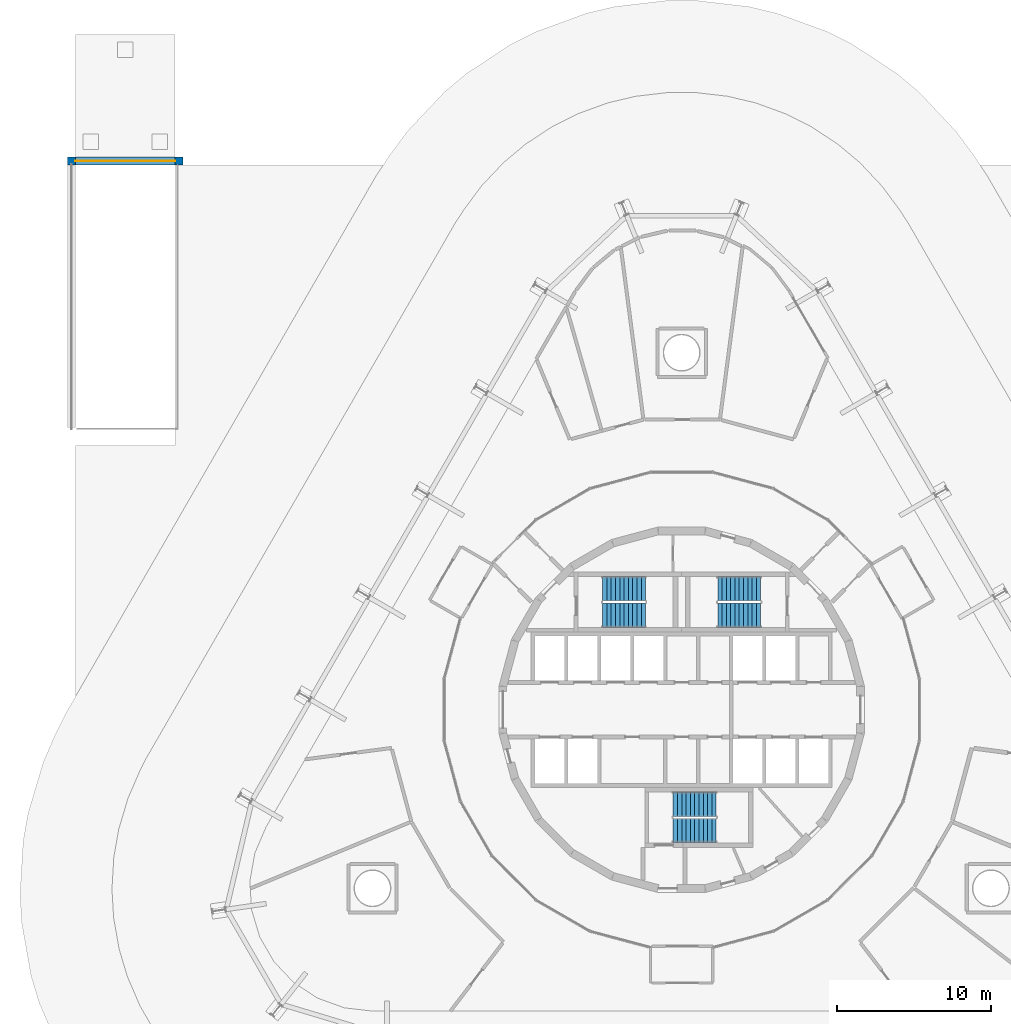
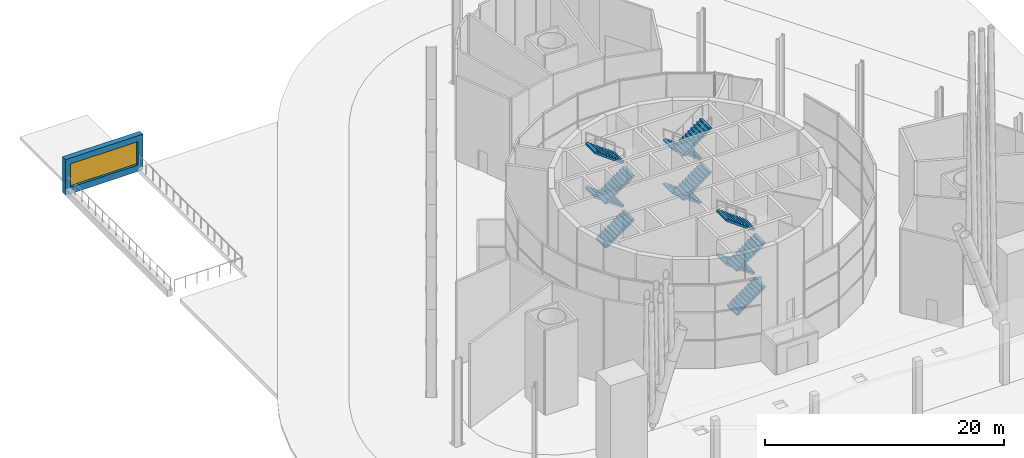
# One storey, part 19 of 21: 12 stair flights, 1 door, 1 wall, 1 opening, 3 elements without a shape of their own.
"""IFC4 building model written with IfcOpenShell, lengths in metres."""

from ifc_helpers import new_model, si_unit, direction, frame, frame_2d, origin, place, context, subcontext, project, spatial, polyline, rectangle, outline, extrude, material, layer, layer_set, type_object, element, fill, aggregate, save


model = new_model("IFC4")

# Units and contexts
model_context = context("Model", 3, precision=1e-05, world=origin(), true_north=direction((0.0, 1.0)))
body_context = subcontext(model_context, "Body", "Model", "MODEL_VIEW")
ifc_project = project(units=[si_unit("LENGTHUNIT", "METRE"), si_unit("AREAUNIT", "SQUARE_METRE"), si_unit("VOLUMEUNIT", "CUBIC_METRE"), si_unit("PLANEANGLEUNIT", "RADIAN"), si_unit("MASSUNIT", "GRAM", prefix="KILO")], contexts=[model_context])

# Site, building, storey
site_placement = place(None, origin())
site = spatial("IfcSite", under=ifc_project, at=site_placement, CompositionType="ELEMENT")
building_placement = place(site_placement, origin())
building = spatial("IfcBuilding", under=site, at=building_placement, Name="Spindle Arch Residences", CompositionType="ELEMENT")
storey_placement = place(building_placement, origin())
storey = spatial("IfcBuildingStorey", under=building, at=storey_placement, Name="L00", CompositionType="ELEMENT", Elevation=0.0)

# Wall, opening, door
ifc_material_1 = material(Name="Concrete C40/50", Category="concrete")
ifc_layer = layer(ifc_material_1, 0.5)
ifc_layer_set = layer_set([ifc_layer], Name="Vehicle gate wall 500")
wall_type = type_object("IfcWallType", Name="Vehicle gate wall 500", PredefinedType="STANDARD", material=ifc_layer_set)
wall_placement = place(storey_placement, frame((-40.0, 35.75, -0.659912109375), z_axis=(0.0, 0.0, 1.0), x_axis=(1.0, 0.0, 0.0)))
wall = element("IfcWall", 1, at=wall_placement, inside=storey, type_object=wall_type, Name="Vehicle gate wall", PredefinedType="STANDARD", context=body_context, shape_type="SweptSolid", body=[
    extrude(rectangle(XDim=7.5, YDim=0.5, at=frame_2d((3.75, 0.0))), origin(), (0.0, 0.0, 1.0), 3.659912109375),
])
opening_placement = place(wall_placement, frame((0.5, 0.0, 0.659912109375)))
opening = element("IfcOpeningElement", 2, at=opening_placement, cuts=wall, Name="Opening VEHICLE-GATE-W", PredefinedType="OPENING", context=body_context, shape_type="SweptSolid", body=[
    extrude(rectangle(XDim=6.5, YDim=2.39990234375, at=frame_2d((3.25, 1.199951171875))), frame((0.0, 0.260009765625, 0.0), z_axis=(0.0, -1.0, 0.0), x_axis=(1.0, 0.0, 0.0)), (0.0, 0.0, 1.0), 0.52001953125),
])
ifc_material_2 = material(Name="Insulated aluminium roller shutter", Category="aluminium")
door_type = type_object("IfcDoorType", Name="Vehicle roller shutter door 6500x2400", OperationType="ROLLINGUP", PredefinedType="GATE", material=ifc_material_2)
door_placement = place(opening_placement, origin())
door = element("IfcDoor", 3, at=door_placement, inside=storey, type_object=door_type, Name="Vehicle gate", OperationType="ROLLINGUP", OverallHeight=2.39990234375, OverallWidth=6.5, PredefinedType="GATE", context=body_context, shape_type="SweptSolid", body=[
    extrude(rectangle(XDim=6.5, YDim=2.39990234375, at=frame_2d((3.25, 1.199951171875))), frame((0.0, 0.02490234375, 0.0), z_axis=(0.0, -1.0, 0.0), x_axis=(1.0, 0.0, 0.0)), (0.0, 0.0, 1.0), 0.050048828125),
])
fill(opening, door)

# Stair, stair flights
ifc_material_3 = material(Name="Concrete C50/60", Category="concrete")
stair_type = type_object("IfcStairType", Name="Exit stair 44 risers", PredefinedType="HALF_TURN_STAIR", material=ifc_material_3)
stair_1_placement = place(storey_placement, origin())
stair_1 = element("IfcStair", 4, at=stair_1_placement, inside=storey, type_object=stair_type, Name="L00 Exit stair ST1", PredefinedType="HALF_TURN_STAIR")
ifc_material_4 = material(Name="Concrete C50/60", Category="concrete")
stair_flight_type = type_object("IfcStairFlightType", Name="Exit stair flight", PredefinedType="STRAIGHT", material=ifc_material_4)
stair_flight_1_placement = place(storey_placement, frame((5.14990234375, 7.8701171875, 0.0), z_axis=(0.0, 0.0, 1.0), x_axis=(-1.0, 0.0, 0.0)))
stair_flight_1 = element("IfcStairFlight", 5, at=stair_flight_1_placement, type_object=stair_flight_type, Name="ST1 flight 1", NumberOfRisers=11, NumberOfTreads=10, PredefinedType="STRAIGHT", RiserHeight=0.204545455, TreadLength=0.28, context=body_context, shape_type="SweptSolid", body=[
    extrude(outline(polyline([(0.0, 0.0), (0.0, 0.20458984375), (0.280029296875, 0.20458984375), (0.280029296875, 0.4091796875), (0.56005859375, 0.4091796875), (0.56005859375, 0.613525390625), (0.840087890625, 0.613525390625), (0.840087890625, 0.818115234375), (1.1201171875, 0.818115234375), (1.1201171875, 1.022705078125), (1.39990234375, 1.022705078125), (1.39990234375, 1.227294921875), (1.679931640625, 1.227294921875), (1.679931640625, 1.431884765625), (1.9599609375, 1.431884765625), (1.9599609375, 1.636474609375), (2.239990234375, 1.636474609375), (2.239990234375, 1.8408203125), (2.52001953125, 1.8408203125), (2.52001953125, 2.04541015625), (2.800048828125, 2.04541015625), (2.800048828125, 2.25), (2.800048828125, 1.85986328125), (0.254150390625, 0.0), (0.0, 0.0)])), frame((0.0, 0.800048828125, 0.0), z_axis=(0.0, -1.0, 0.0), x_axis=(1.0, 0.0, 0.0)), (0.0, 0.0, 1.0), 1.60009765625),
])
stair_flight_2_placement = place(storey_placement, frame((2.35009765625, 6.14990234375, 2.25), z_axis=(0.0, 0.0, 1.0), x_axis=(1.0, 0.0, 0.0)))
stair_flight_2 = element("IfcStairFlight", 6, at=stair_flight_2_placement, type_object=stair_flight_type, Name="ST1 flight 2", NumberOfRisers=11, NumberOfTreads=10, PredefinedType="STRAIGHT", RiserHeight=0.204545455, TreadLength=0.28, context=body_context, shape_type="SweptSolid", body=[
    extrude(outline(polyline([(0.0, 0.0), (0.0, 0.20458984375), (0.280029296875, 0.20458984375), (0.280029296875, 0.4091796875), (0.56005859375, 0.4091796875), (0.56005859375, 0.613525390625), (0.840087890625, 0.613525390625), (0.840087890625, 0.818115234375), (1.1201171875, 0.818115234375), (1.1201171875, 1.022705078125), (1.39990234375, 1.022705078125), (1.39990234375, 1.227294921875), (1.679931640625, 1.227294921875), (1.679931640625, 1.431884765625), (1.9599609375, 1.431884765625), (1.9599609375, 1.636474609375), (2.239990234375, 1.636474609375), (2.239990234375, 1.8408203125), (2.52001953125, 1.8408203125), (2.52001953125, 2.04541015625), (2.800048828125, 2.04541015625), (2.800048828125, 2.25), (2.800048828125, 1.85986328125), (0.254150390625, 0.0), (0.0, 0.0)])), frame((0.0, 0.800048828125, 0.0), z_axis=(0.0, -1.0, 0.0), x_axis=(1.0, 0.0, 0.0)), (0.0, 0.0, 1.0), 1.60009765625),
])
stair_flight_3_placement = place(storey_placement, frame((5.14990234375, 7.8701171875, 4.5), z_axis=(0.0, 0.0, 1.0), x_axis=(-1.0, 0.0, 0.0)))
stair_flight_3 = element("IfcStairFlight", 7, at=stair_flight_3_placement, type_object=stair_flight_type, Name="ST1 flight 3", NumberOfRisers=11, NumberOfTreads=10, PredefinedType="STRAIGHT", RiserHeight=0.204545455, TreadLength=0.28, context=body_context, shape_type="SweptSolid", body=[
    extrude(outline(polyline([(0.0, 0.0), (0.0, 0.20458984375), (0.280029296875, 0.20458984375), (0.280029296875, 0.4091796875), (0.56005859375, 0.4091796875), (0.56005859375, 0.613525390625), (0.840087890625, 0.613525390625), (0.840087890625, 0.818115234375), (1.1201171875, 0.818115234375), (1.1201171875, 1.022705078125), (1.39990234375, 1.022705078125), (1.39990234375, 1.227294921875), (1.679931640625, 1.227294921875), (1.679931640625, 1.431884765625), (1.9599609375, 1.431884765625), (1.9599609375, 1.636474609375), (2.239990234375, 1.636474609375), (2.239990234375, 1.8408203125), (2.52001953125, 1.8408203125), (2.52001953125, 2.04541015625), (2.800048828125, 2.04541015625), (2.800048828125, 2.25), (2.800048828125, 1.85986328125), (0.254150390625, 0.0), (0.0, 0.0)])), frame((0.0, 0.800048828125, 0.0), z_axis=(0.0, -1.0, 0.0), x_axis=(1.0, 0.0, 0.0)), (0.0, 0.0, 1.0), 1.60009765625),
])
stair_flight_4_placement = place(storey_placement, frame((2.35009765625, 6.14990234375, 6.75), z_axis=(0.0, 0.0, 1.0), x_axis=(1.0, 0.0, 0.0)))
stair_flight_4 = element("IfcStairFlight", 8, at=stair_flight_4_placement, type_object=stair_flight_type, Name="ST1 flight 4", NumberOfRisers=11, NumberOfTreads=10, PredefinedType="STRAIGHT", RiserHeight=0.204545455, TreadLength=0.28, context=body_context, shape_type="SweptSolid", body=[
    extrude(outline(polyline([(0.0, 0.0), (0.0, 0.20458984375), (0.280029296875, 0.20458984375), (0.280029296875, 0.4091796875), (0.56005859375, 0.4091796875), (0.56005859375, 0.613525390625), (0.840087890625, 0.613525390625), (0.840087890625, 0.818115234375), (1.1201171875, 0.818115234375), (1.1201171875, 1.022705078125), (1.39990234375, 1.022705078125), (1.39990234375, 1.227294921875), (1.679931640625, 1.227294921875), (1.679931640625, 1.431884765625), (1.9599609375, 1.431884765625), (1.9599609375, 1.636474609375), (2.239990234375, 1.636474609375), (2.239990234375, 1.8408203125), (2.52001953125, 1.8408203125), (2.52001953125, 2.04541015625), (2.800048828125, 2.04541015625), (2.800048828125, 2.25), (2.800048828125, 1.85986328125), (0.254150390625, 0.0), (0.0, 0.0)])), frame((0.0, 0.800048828125, 0.0), z_axis=(0.0, -1.0, 0.0), x_axis=(1.0, 0.0, 0.0)), (0.0, 0.0, 1.0), 1.60009765625),
])
aggregate(stair_1, [stair_flight_1, stair_flight_2, stair_flight_3, stair_flight_4])

stair_2_placement = place(storey_placement, origin())
stair_2 = element("IfcStair", 9, at=stair_2_placement, inside=storey, type_object=stair_type, Name="L00 Exit stair ST2", PredefinedType="HALF_TURN_STAIR")
stair_flight_5_placement = place(storey_placement, frame((-5.14990234375, 6.14990234375, 0.0), z_axis=(0.0, 0.0, 1.0), x_axis=(1.0, 0.0, 0.0)))
stair_flight_5 = element("IfcStairFlight", 10, at=stair_flight_5_placement, type_object=stair_flight_type, Name="ST2 flight 1", NumberOfRisers=11, NumberOfTreads=10, PredefinedType="STRAIGHT", RiserHeight=0.204545455, TreadLength=0.28, context=body_context, shape_type="SweptSolid", body=[
    extrude(outline(polyline([(0.0, 0.0), (0.0, 0.20458984375), (0.280029296875, 0.20458984375), (0.280029296875, 0.4091796875), (0.56005859375, 0.4091796875), (0.56005859375, 0.613525390625), (0.840087890625, 0.613525390625), (0.840087890625, 0.818115234375), (1.1201171875, 0.818115234375), (1.1201171875, 1.022705078125), (1.39990234375, 1.022705078125), (1.39990234375, 1.227294921875), (1.679931640625, 1.227294921875), (1.679931640625, 1.431884765625), (1.9599609375, 1.431884765625), (1.9599609375, 1.636474609375), (2.239990234375, 1.636474609375), (2.239990234375, 1.8408203125), (2.52001953125, 1.8408203125), (2.52001953125, 2.04541015625), (2.800048828125, 2.04541015625), (2.800048828125, 2.25), (2.800048828125, 1.85986328125), (0.254150390625, 0.0), (0.0, 0.0)])), frame((0.0, 0.800048828125, 0.0), z_axis=(0.0, -1.0, 0.0), x_axis=(1.0, 0.0, 0.0)), (0.0, 0.0, 1.0), 1.60009765625),
])
stair_flight_6_placement = place(storey_placement, frame((-2.35009765625, 7.8701171875, 2.25), z_axis=(0.0, 0.0, 1.0), x_axis=(-1.0, 0.0, 0.0)))
stair_flight_6 = element("IfcStairFlight", 11, at=stair_flight_6_placement, type_object=stair_flight_type, Name="ST2 flight 2", NumberOfRisers=11, NumberOfTreads=10, PredefinedType="STRAIGHT", RiserHeight=0.204545455, TreadLength=0.28, context=body_context, shape_type="SweptSolid", body=[
    extrude(outline(polyline([(0.0, 0.0), (0.0, 0.20458984375), (0.280029296875, 0.20458984375), (0.280029296875, 0.4091796875), (0.56005859375, 0.4091796875), (0.56005859375, 0.613525390625), (0.840087890625, 0.613525390625), (0.840087890625, 0.818115234375), (1.1201171875, 0.818115234375), (1.1201171875, 1.022705078125), (1.39990234375, 1.022705078125), (1.39990234375, 1.227294921875), (1.679931640625, 1.227294921875), (1.679931640625, 1.431884765625), (1.9599609375, 1.431884765625), (1.9599609375, 1.636474609375), (2.239990234375, 1.636474609375), (2.239990234375, 1.8408203125), (2.52001953125, 1.8408203125), (2.52001953125, 2.04541015625), (2.800048828125, 2.04541015625), (2.800048828125, 2.25), (2.800048828125, 1.85986328125), (0.254150390625, 0.0), (0.0, 0.0)])), frame((0.0, 0.800048828125, 0.0), z_axis=(0.0, -1.0, 0.0), x_axis=(1.0, 0.0, 0.0)), (0.0, 0.0, 1.0), 1.60009765625),
])
stair_flight_7_placement = place(storey_placement, frame((-5.14990234375, 6.14990234375, 4.5), z_axis=(0.0, 0.0, 1.0), x_axis=(1.0, 0.0, 0.0)))
stair_flight_7 = element("IfcStairFlight", 12, at=stair_flight_7_placement, type_object=stair_flight_type, Name="ST2 flight 3", NumberOfRisers=11, NumberOfTreads=10, PredefinedType="STRAIGHT", RiserHeight=0.204545455, TreadLength=0.28, context=body_context, shape_type="SweptSolid", body=[
    extrude(outline(polyline([(0.0, 0.0), (0.0, 0.20458984375), (0.280029296875, 0.20458984375), (0.280029296875, 0.4091796875), (0.56005859375, 0.4091796875), (0.56005859375, 0.613525390625), (0.840087890625, 0.613525390625), (0.840087890625, 0.818115234375), (1.1201171875, 0.818115234375), (1.1201171875, 1.022705078125), (1.39990234375, 1.022705078125), (1.39990234375, 1.227294921875), (1.679931640625, 1.227294921875), (1.679931640625, 1.431884765625), (1.9599609375, 1.431884765625), (1.9599609375, 1.636474609375), (2.239990234375, 1.636474609375), (2.239990234375, 1.8408203125), (2.52001953125, 1.8408203125), (2.52001953125, 2.04541015625), (2.800048828125, 2.04541015625), (2.800048828125, 2.25), (2.800048828125, 1.85986328125), (0.254150390625, 0.0), (0.0, 0.0)])), frame((0.0, 0.800048828125, 0.0), z_axis=(0.0, -1.0, 0.0), x_axis=(1.0, 0.0, 0.0)), (0.0, 0.0, 1.0), 1.60009765625),
])
stair_flight_8_placement = place(storey_placement, frame((-2.35009765625, 7.8701171875, 6.75), z_axis=(0.0, 0.0, 1.0), x_axis=(-1.0, 0.0, 0.0)))
stair_flight_8 = element("IfcStairFlight", 13, at=stair_flight_8_placement, type_object=stair_flight_type, Name="ST2 flight 4", NumberOfRisers=11, NumberOfTreads=10, PredefinedType="STRAIGHT", RiserHeight=0.204545455, TreadLength=0.28, context=body_context, shape_type="SweptSolid", body=[
    extrude(outline(polyline([(0.0, 0.0), (0.0, 0.20458984375), (0.280029296875, 0.20458984375), (0.280029296875, 0.4091796875), (0.56005859375, 0.4091796875), (0.56005859375, 0.613525390625), (0.840087890625, 0.613525390625), (0.840087890625, 0.818115234375), (1.1201171875, 0.818115234375), (1.1201171875, 1.022705078125), (1.39990234375, 1.022705078125), (1.39990234375, 1.227294921875), (1.679931640625, 1.227294921875), (1.679931640625, 1.431884765625), (1.9599609375, 1.431884765625), (1.9599609375, 1.636474609375), (2.239990234375, 1.636474609375), (2.239990234375, 1.8408203125), (2.52001953125, 1.8408203125), (2.52001953125, 2.04541015625), (2.800048828125, 2.04541015625), (2.800048828125, 2.25), (2.800048828125, 1.85986328125), (0.254150390625, 0.0), (0.0, 0.0)])), frame((0.0, 0.800048828125, 0.0), z_axis=(0.0, -1.0, 0.0), x_axis=(1.0, 0.0, 0.0)), (0.0, 0.0, 1.0), 1.60009765625),
])
aggregate(stair_2, [stair_flight_5, stair_flight_6, stair_flight_7, stair_flight_8])

stair_3_placement = place(storey_placement, origin())
stair_3 = element("IfcStair", 14, at=stair_3_placement, inside=storey, type_object=stair_type, Name="L00 Exit stair ST3", PredefinedType="HALF_TURN_STAIR")
stair_flight_9_placement = place(storey_placement, frame((-0.550048828125, -7.8701171875, 0.0), z_axis=(0.0, 0.0, 1.0), x_axis=(1.0, 0.0, 0.0)))
stair_flight_9 = element("IfcStairFlight", 15, at=stair_flight_9_placement, type_object=stair_flight_type, Name="ST3 flight 1", NumberOfRisers=11, NumberOfTreads=10, PredefinedType="STRAIGHT", RiserHeight=0.204545455, TreadLength=0.28, context=body_context, shape_type="SweptSolid", body=[
    extrude(outline(polyline([(0.0, 0.0), (0.0, 0.20458984375), (0.280029296875, 0.20458984375), (0.280029296875, 0.4091796875), (0.56005859375, 0.4091796875), (0.56005859375, 0.613525390625), (0.840087890625, 0.613525390625), (0.840087890625, 0.818115234375), (1.1201171875, 0.818115234375), (1.1201171875, 1.022705078125), (1.39990234375, 1.022705078125), (1.39990234375, 1.227294921875), (1.679931640625, 1.227294921875), (1.679931640625, 1.431884765625), (1.9599609375, 1.431884765625), (1.9599609375, 1.636474609375), (2.239990234375, 1.636474609375), (2.239990234375, 1.8408203125), (2.52001953125, 1.8408203125), (2.52001953125, 2.04541015625), (2.800048828125, 2.04541015625), (2.800048828125, 2.25), (2.800048828125, 1.85986328125), (0.254150390625, 0.0), (0.0, 0.0)])), frame((0.0, 0.800048828125, 0.0), z_axis=(0.0, -1.0, 0.0), x_axis=(1.0, 0.0, 0.0)), (0.0, 0.0, 1.0), 1.60009765625),
])
stair_flight_10_placement = place(storey_placement, frame((2.25, -6.14990234375, 2.25), z_axis=(0.0, 0.0, 1.0), x_axis=(-1.0, 0.0, 0.0)))
stair_flight_10 = element("IfcStairFlight", 16, at=stair_flight_10_placement, type_object=stair_flight_type, Name="ST3 flight 2", NumberOfRisers=11, NumberOfTreads=10, PredefinedType="STRAIGHT", RiserHeight=0.204545455, TreadLength=0.28, context=body_context, shape_type="SweptSolid", body=[
    extrude(outline(polyline([(0.0, 0.0), (0.0, 0.20458984375), (0.280029296875, 0.20458984375), (0.280029296875, 0.4091796875), (0.56005859375, 0.4091796875), (0.56005859375, 0.613525390625), (0.840087890625, 0.613525390625), (0.840087890625, 0.818115234375), (1.1201171875, 0.818115234375), (1.1201171875, 1.022705078125), (1.39990234375, 1.022705078125), (1.39990234375, 1.227294921875), (1.679931640625, 1.227294921875), (1.679931640625, 1.431884765625), (1.9599609375, 1.431884765625), (1.9599609375, 1.636474609375), (2.239990234375, 1.636474609375), (2.239990234375, 1.8408203125), (2.52001953125, 1.8408203125), (2.52001953125, 2.04541015625), (2.800048828125, 2.04541015625), (2.800048828125, 2.25), (2.800048828125, 1.85986328125), (0.254150390625, 0.0), (0.0, 0.0)])), frame((0.0, 0.800048828125, 0.0), z_axis=(0.0, -1.0, 0.0), x_axis=(1.0, 0.0, 0.0)), (0.0, 0.0, 1.0), 1.60009765625),
])
stair_flight_11_placement = place(storey_placement, frame((-0.550048828125, -7.8701171875, 4.5), z_axis=(0.0, 0.0, 1.0), x_axis=(1.0, 0.0, 0.0)))
stair_flight_11 = element("IfcStairFlight", 17, at=stair_flight_11_placement, type_object=stair_flight_type, Name="ST3 flight 3", NumberOfRisers=11, NumberOfTreads=10, PredefinedType="STRAIGHT", RiserHeight=0.204545455, TreadLength=0.28, context=body_context, shape_type="SweptSolid", body=[
    extrude(outline(polyline([(0.0, 0.0), (0.0, 0.20458984375), (0.280029296875, 0.20458984375), (0.280029296875, 0.4091796875), (0.56005859375, 0.4091796875), (0.56005859375, 0.613525390625), (0.840087890625, 0.613525390625), (0.840087890625, 0.818115234375), (1.1201171875, 0.818115234375), (1.1201171875, 1.022705078125), (1.39990234375, 1.022705078125), (1.39990234375, 1.227294921875), (1.679931640625, 1.227294921875), (1.679931640625, 1.431884765625), (1.9599609375, 1.431884765625), (1.9599609375, 1.636474609375), (2.239990234375, 1.636474609375), (2.239990234375, 1.8408203125), (2.52001953125, 1.8408203125), (2.52001953125, 2.04541015625), (2.800048828125, 2.04541015625), (2.800048828125, 2.25), (2.800048828125, 1.85986328125), (0.254150390625, 0.0), (0.0, 0.0)])), frame((0.0, 0.800048828125, 0.0), z_axis=(0.0, -1.0, 0.0), x_axis=(1.0, 0.0, 0.0)), (0.0, 0.0, 1.0), 1.60009765625),
])
stair_flight_12_placement = place(storey_placement, frame((2.25, -6.14990234375, 6.75), z_axis=(0.0, 0.0, 1.0), x_axis=(-1.0, 0.0, 0.0)))
stair_flight_12 = element("IfcStairFlight", 18, at=stair_flight_12_placement, type_object=stair_flight_type, Name="ST3 flight 4", NumberOfRisers=11, NumberOfTreads=10, PredefinedType="STRAIGHT", RiserHeight=0.204545455, TreadLength=0.28, context=body_context, shape_type="SweptSolid", body=[
    extrude(outline(polyline([(0.0, 0.0), (0.0, 0.20458984375), (0.280029296875, 0.20458984375), (0.280029296875, 0.4091796875), (0.56005859375, 0.4091796875), (0.56005859375, 0.613525390625), (0.840087890625, 0.613525390625), (0.840087890625, 0.818115234375), (1.1201171875, 0.818115234375), (1.1201171875, 1.022705078125), (1.39990234375, 1.022705078125), (1.39990234375, 1.227294921875), (1.679931640625, 1.227294921875), (1.679931640625, 1.431884765625), (1.9599609375, 1.431884765625), (1.9599609375, 1.636474609375), (2.239990234375, 1.636474609375), (2.239990234375, 1.8408203125), (2.52001953125, 1.8408203125), (2.52001953125, 2.04541015625), (2.800048828125, 2.04541015625), (2.800048828125, 2.25), (2.800048828125, 1.85986328125), (0.254150390625, 0.0), (0.0, 0.0)])), frame((0.0, 0.800048828125, 0.0), z_axis=(0.0, -1.0, 0.0), x_axis=(1.0, 0.0, 0.0)), (0.0, 0.0, 1.0), 1.60009765625),
])
aggregate(stair_3, [stair_flight_9, stair_flight_10, stair_flight_11, stair_flight_12])

save(model, "model.ifc")
